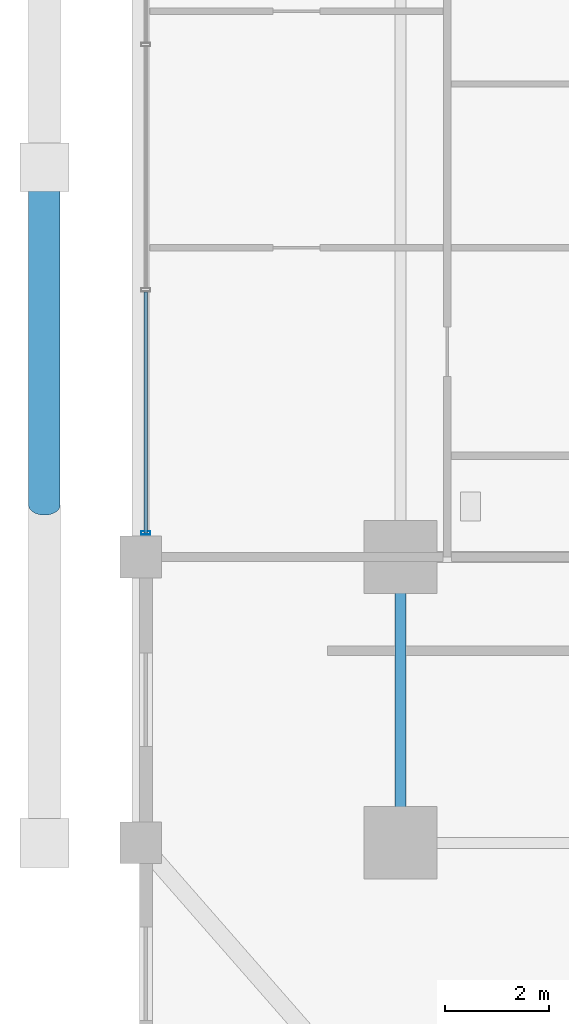
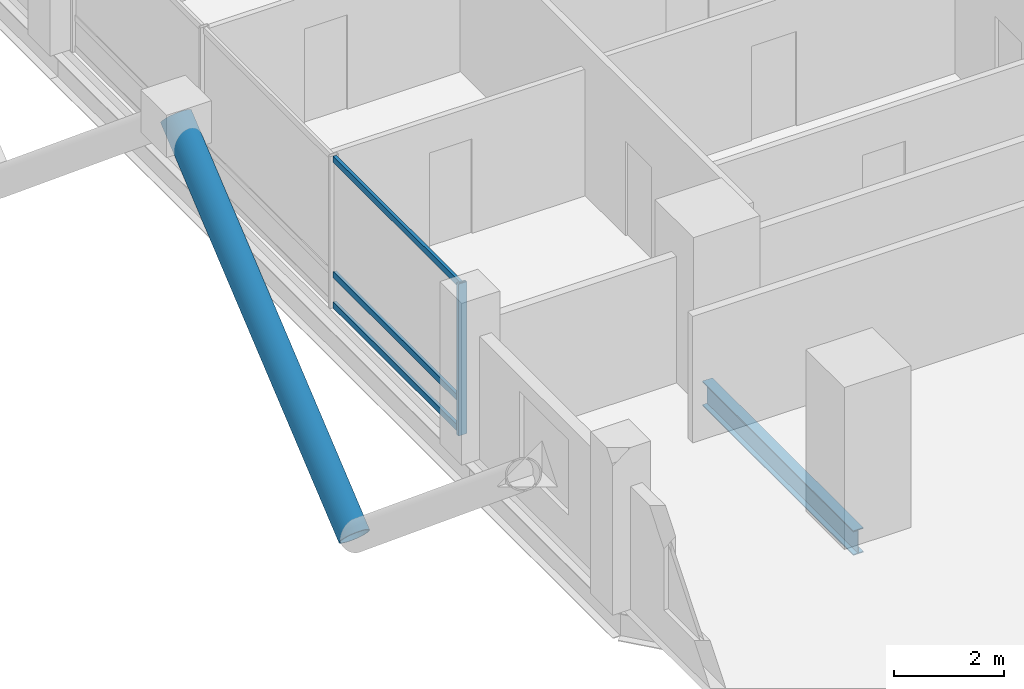
# One storey, part 4 of 23: 5 members, 1 beam, 1 element without a shape of its own.
"""IFC4 building model written with IfcOpenShell, lengths in metres."""

import ifcopenshell
import ifcopenshell.guid

model = None  # the IFC model being written
_history = None  # IfcOwnerHistory: only IFC2X3 demands one
_inside = {}  # id of a spatial element -> (the spatial element, [elements in it])
_under = {}  # id of a project, library or spatial element -> (it, [spatial elements below it])
_declared = {}  # id of a project -> (the project, [libraries it declares])
_typed = {}  # id of a type object -> (the type object, [elements of that type])
_made_of = {}  # id of a material, layer set ... -> (it, [elements and type objects made of it])


def new_model(schema):
    """Start an empty IFC model of exactly this schema.

    Asked for "IFC4X3", IfcOpenShell would pick the latest addendum, in which some entities
    have other attributes; the version numbers below select the first issue.
    IFC2X3 requires an IfcOwnerHistory on every rooted entity: one is made here for all.
    """
    global model, _history
    if schema == "IFC4X3":
        model = ifcopenshell.file(schema_version=(4, 3, 0, 0))
    else:
        model = ifcopenshell.file(schema=schema)
    _inside.clear()
    _under.clear()
    _declared.clear()
    _typed.clear()
    _made_of.clear()
    _history = None
    if model.schema == "IFC2X3":
        org = make("IfcOrganization", Name="unknown")
        user = make(
            "IfcPersonAndOrganization",
            ThePerson=make("IfcPerson", FamilyName="unknown"),
            TheOrganization=org,
        )
        app = make(
            "IfcApplication",
            ApplicationDeveloper=org,
            Version="unknown",
            ApplicationFullName="unknown",
            ApplicationIdentifier="unknown",
        )
        _history = make(
            "IfcOwnerHistory",
            OwningUser=user,
            OwningApplication=app,
            ChangeAction="ADDED",
            CreationDate=0,
        )
    return model


def make(cls, **values):
    """One entity of the class cls with the attributes given. An attribute that is None is left unset."""
    return model.create_entity(
        cls, **{name: value for name, value in values.items() if value is not None}
    )


def rooted(cls, **values):
    """An entity with a GlobalId (a new one), such as an element, a storey or a relation."""
    return make(cls, GlobalId=ifcopenshell.guid.new(), OwnerHistory=_history, **values)


def si_unit(unit_type, name, prefix=None):
    """IfcSIUnit, for example si_unit("LENGTHUNIT", "METRE", prefix="MILLI")."""
    return make("IfcSIUnit", UnitType=unit_type, Prefix=prefix, Name=name)


def assignment(units):
    """IfcUnitAssignment: the units of a project."""
    return None if units is None else make("IfcUnitAssignment", Units=units)


def point(xyz):
    """IfcCartesianPoint."""
    return None if xyz is None else make("IfcCartesianPoint", Coordinates=xyz)


def direction(xyz):
    """IfcDirection."""
    return None if xyz is None else make("IfcDirection", DirectionRatios=xyz)


def frame(location, z_axis=None, x_axis=None):
    """IfcAxis2Placement3D, a coordinate frame: its origin and axes. An axis left out is left unset."""
    return make(
        "IfcAxis2Placement3D",
        Location=point(location),
        Axis=direction(z_axis),
        RefDirection=direction(x_axis),
    )


def frame_2d(location, x_axis=None):
    """IfcAxis2Placement2D, a coordinate frame in the plane: its origin and x axis."""
    return make(
        "IfcAxis2Placement2D", Location=point(location), RefDirection=direction(x_axis)
    )


def origin():
    """The frame at (0, 0, 0) with its axes left unset."""
    return frame((0.0, 0.0, 0.0))


def origin_2d():
    """The frame at (0, 0) in the plane with its x axis left unset."""
    return frame_2d((0.0, 0.0))


def place(relative_to, where):
    """IfcLocalPlacement: puts the frame where relative to a parent placement (None: the world)."""
    return make(
        "IfcLocalPlacement", PlacementRelTo=relative_to, RelativePlacement=where
    )


def context(
    kind, dimensions, precision=None, world=None, true_north=None, identifier=None
):
    """IfcGeometricRepresentationContext, for example the 3D "Model" context."""
    return make(
        "IfcGeometricRepresentationContext",
        ContextIdentifier=identifier,
        ContextType=kind,
        CoordinateSpaceDimension=dimensions,
        Precision=precision,
        WorldCoordinateSystem=world,
        TrueNorth=true_north,
    )


def subcontext(parent, identifier, kind, view, scale=None):
    """IfcGeometricRepresentationSubContext, for example "Body" below "Model"."""
    return make(
        "IfcGeometricRepresentationSubContext",
        ContextIdentifier=identifier,
        ContextType=kind,
        ParentContext=parent,
        TargetScale=scale,
        TargetView=view,
    )


def project(units=None, contexts=None):
    """IfcProject with its units and contexts."""
    return rooted(
        "IfcProject",
        Name="project",
        RepresentationContexts=contexts,
        UnitsInContext=assignment(units),
    )


def spatial(cls, under=None, at=None, **own):
    """A site, building, storey or space (cls), placed at a placement, below another one or the project."""
    s = rooted(cls, ObjectPlacement=at, **own)
    if under is not None:
        _under.setdefault(under.id(), (under, []))[1].append(s)
    return s


def profile(cls, at=None, kind="AREA", **sizes):
    """A parametric profile (cls). Its sizes go by their IFC names, for example OverallWidth=200.0."""
    return make(cls, ProfileType=kind, Position=at, **sizes)


def hollow_rectangle(**sizes):
    """IfcRectangleHollowProfileDef."""
    return profile("IfcRectangleHollowProfileDef", **sizes)


def hollow_circle(**sizes):
    """IfcCircleHollowProfileDef."""
    return profile("IfcCircleHollowProfileDef", **sizes)


def i_section(**sizes):
    """IfcIShapeProfileDef."""
    return profile("IfcIShapeProfileDef", **sizes)


def extrude(swept, where, along, depth):
    """IfcExtrudedAreaSolid: the profile swept, set in the frame where, extruded along a direction by depth."""
    return make(
        "IfcExtrudedAreaSolid",
        SweptArea=swept,
        Position=where,
        ExtrudedDirection=direction(along),
        Depth=depth,
    )


def shape(context_of_items, identifier, shape_type, items):
    """IfcShapeRepresentation: the items that make up one representation, for example the "Body"."""
    return make(
        "IfcShapeRepresentation",
        ContextOfItems=context_of_items,
        RepresentationIdentifier=identifier,
        RepresentationType=shape_type,
        Items=items,
    )


def material(Name=None, Category=None):
    """IfcMaterial."""
    return make("IfcMaterial", Name=Name, Category=Category)


def layer(
    of_material, thickness, ventilated=None, Name=None, Category=None, Priority=None
):
    """IfcMaterialLayer: one layer of a wall or slab, of a material (None: an air gap)."""
    return make(
        "IfcMaterialLayer",
        Material=of_material,
        LayerThickness=thickness,
        IsVentilated=ventilated,
        Name=Name,
        Category=Category,
        Priority=Priority,
    )


def layer_set(layers, Name=None):
    """IfcMaterialLayerSet."""
    return make("IfcMaterialLayerSet", MaterialLayers=layers, LayerSetName=Name)


def material_profile(
    of_material, cross_section, Name=None, Category=None, Priority=None
):
    """IfcMaterialProfile: a cross section and its material."""
    return make(
        "IfcMaterialProfile",
        Name=Name,
        Material=of_material,
        Profile=cross_section,
        Priority=Priority,
        Category=Category,
    )


def profile_set(profiles, Name=None, composite=None):
    """IfcMaterialProfileSet."""
    return make(
        "IfcMaterialProfileSet",
        Name=Name,
        MaterialProfiles=profiles,
        CompositeProfile=composite,
    )


def made_of(thing, what):
    """Note that an element or type object is made of a material, layer set ...; save() writes the relation."""
    if what is not None:
        _made_of.setdefault(what.id(), (what, []))[1].append(thing)
    return thing


def type_object(cls, material=None, **own):
    """A type object (cls), such as IfcWallType, which elements share."""
    return made_of(rooted(cls, **own), material)


def element(
    cls,
    number,
    at=None,
    inside=None,
    cuts=None,
    type_object=None,
    material=None,
    context=None,
    identifier="Body",
    shape_type=None,
    held_by="IfcProductDefinitionShape",
    body=None,
    shapes=None,
    **own,
):
    """One element of the class cls, such as IfcWall. Its Tag is "e" and its number.

    at: its placement. inside: the storey or other place that contains it. cuts: it is an
    opening in that element (IfcRelVoidsElement). A single representation is given by context,
    identifier, shape_type and body (its items); several are given by shapes. held_by: the class
    of the entity that holds the representations. save() writes the other relations.
    """
    e = rooted(cls, Tag="e%d" % number, ObjectPlacement=at, **own)
    if body is not None:
        shapes = [shape(context, identifier, shape_type, body)]
    if shapes is not None:
        e.Representation = make(held_by, Representations=shapes)
    if inside is not None:
        _inside.setdefault(inside.id(), (inside, []))[1].append(e)
    if cuts is not None:
        rooted(
            "IfcRelVoidsElement", RelatingBuildingElement=cuts, RelatedOpeningElement=e
        )
    if type_object is not None:
        _typed.setdefault(type_object.id(), (type_object, []))[1].append(e)
    return made_of(e, material)


def aggregate(whole, parts):
    """IfcRelAggregates: a whole, such as a stair, and the parts it consists of."""
    return rooted("IfcRelAggregates", RelatingObject=whole, RelatedObjects=parts)


def save(model, path):
    """Write the relations noted so far, then the file.

    IfcRelAggregates (storeys below a building ...), IfcRelContainedInSpatialStructure (elements
    in a storey), IfcRelDefinesByType, IfcRelAssociatesMaterial and IfcRelDeclares: one each for
    every whole, place, type object, material and project.
    """
    for whole, parts in _under.values():
        aggregate(whole, parts)
    for where, things in _inside.values():
        rooted(
            "IfcRelContainedInSpatialStructure",
            RelatedElements=things,
            RelatingStructure=where,
        )
    for kind, things in _typed.values():
        rooted("IfcRelDefinesByType", RelatedObjects=things, RelatingType=kind)
    for what, things in _made_of.values():
        rooted("IfcRelAssociatesMaterial", RelatedObjects=things, RelatingMaterial=what)
    for by, libraries in _declared.values():
        rooted("IfcRelDeclares", RelatingContext=by, RelatedDefinitions=libraries)
    model.write(path)


model = new_model("IFC4")

# Units and contexts
model_context = context("Model", 3, precision=1e-05, world=origin(), true_north=direction((0.0, 1.0)))
body_context = subcontext(model_context, "Body", "Model", "MODEL_VIEW")
ifc_project = project(units=[si_unit("LENGTHUNIT", "METRE"), si_unit("AREAUNIT", "SQUARE_METRE"), si_unit("VOLUMEUNIT", "CUBIC_METRE"), si_unit("PLANEANGLEUNIT", "RADIAN"), si_unit("MASSUNIT", "GRAM", prefix="KILO")], contexts=[model_context])

# Site, building, storey
site_placement = place(None, origin())
site = spatial("IfcSite", under=ifc_project, at=site_placement, CompositionType="ELEMENT")
building_placement = place(site_placement, origin())
building = spatial("IfcBuilding", under=site, at=building_placement, Name="Barlavira Tower and Art Museum", CompositionType="ELEMENT")
storey_placement = place(building_placement, frame((0.0, 0.0, 57.60009765625)))
storey = spatial("IfcBuildingStorey", under=building, at=storey_placement, Name="L13", CompositionType="ELEMENT", Elevation=57.60009765625)

# Curtain wall, members
ifc_material_1 = material(Name="Low-iron coastal laminated glass", Category="glass")
ifc_layer = layer(ifc_material_1, 0.179931640625, Name="Low-iron coastal laminated glass")
ifc_layer_set = layer_set([ifc_layer], Name="Low-iron coastal laminated glass")
curtain_wall_type = type_object("IfcCurtainWallType", Name="Pale-Metal Unitised Curtain Wall Zone 1", PredefinedType="NOTDEFINED", material=ifc_layer_set)
curtain_wall_placement = place(storey_placement, origin())
curtain_wall = element("IfcCurtainWall", 1, at=curtain_wall_placement, inside=storey, type_object=curtain_wall_type, Name="L13 Curtain Wall CW1-L13-W-B3", PredefinedType="NOTDEFINED")
ifc_material_2 = material(Name="Pale anodised aluminium", Category="aluminium")
ifc_material_profile_1 = material_profile(ifc_material_2, hollow_rectangle(XDim=0.06494140625, YDim=0.179931640625, WallThickness=0.00390625, at=origin_2d()), Name="ALU-MULL 65x180x4")
ifc_profile_set_1 = profile_set([ifc_material_profile_1], Name="Pale anodised aluminium")
member_type_1 = type_object("IfcMemberType", Name="Curtain Wall Pale-Metal Mullion 65x180", PredefinedType="MULLION", material=ifc_profile_set_1)
member_1_placement = place(storey_placement, frame((-21.89990234375, -7.034912109375, 0.0), z_axis=(0.0, 0.0, 1.0), x_axis=(0.0, -1.0, 0.0)))
member_1 = element("IfcMember", 2, at=member_1_placement, type_object=member_type_1, Name="CW1-L13-W-B3 Mullion 3", PredefinedType="MULLION", context=body_context, shape_type="SweptSolid", body=[
    extrude(hollow_rectangle(XDim=0.06494140625, YDim=0.179931640625, WallThickness=0.00390625, at=origin_2d()), origin(), (0.0, 0.0, 1.0), 3.3798828125),
])
ifc_material_profile_2 = material_profile(ifc_material_2, hollow_rectangle(XDim=0.06494140625, YDim=0.139892578125, WallThickness=0.00390625, at=origin_2d()), Name="ALU-TRAN 65x140x4")
ifc_profile_set_2 = profile_set([ifc_material_profile_2], Name="Pale anodised aluminium")
member_type_2 = type_object("IfcMemberType", Name="Curtain Wall Pale-Metal Transom 65x140", PredefinedType="USERDEFINED", material=ifc_profile_set_2)
member_2_placement = place(storey_placement, frame((-21.89990234375, -2.405029296875, 0.06982421875), z_axis=(0.0, -1.0, 0.0), x_axis=(1.0, 0.0, 0.0)))
member_2 = element("IfcMember", 3, at=member_2_placement, type_object=member_type_2, Name="CW1-L13-W-B3 Transom 2.1", ObjectType="TRANSOM", PredefinedType="USERDEFINED", context=body_context, shape_type="SweptSolid", body=[
    extrude(hollow_rectangle(XDim=0.06494140625, YDim=0.139892578125, WallThickness=0.00390625, at=origin_2d()), origin(), (0.0, 0.0, 1.0), 4.6298828125),
])
member_3_placement = place(storey_placement, frame((-21.89990234375, -2.405029296875, 0.743896484375), z_axis=(0.0, -1.0, 0.0), x_axis=(1.0, 0.0, 0.0)))
member_3 = element("IfcMember", 4, at=member_3_placement, type_object=member_type_2, Name="CW1-L13-W-B3 Transom 2.2", ObjectType="TRANSOM", PredefinedType="USERDEFINED", context=body_context, shape_type="SweptSolid", body=[
    extrude(hollow_rectangle(XDim=0.06494140625, YDim=0.139892578125, WallThickness=0.00390625, at=origin_2d()), origin(), (0.0, 0.0, 1.0), 4.6298828125),
])
member_4_placement = place(storey_placement, frame((-21.89990234375, -2.405029296875, 3.309814453125), z_axis=(0.0, -1.0, 0.0), x_axis=(1.0, 0.0, 0.0)))
member_4 = element("IfcMember", 5, at=member_4_placement, type_object=member_type_2, Name="CW1-L13-W-B3 Transom 2.3", ObjectType="TRANSOM", PredefinedType="USERDEFINED", context=body_context, shape_type="SweptSolid", body=[
    extrude(hollow_rectangle(XDim=0.06494140625, YDim=0.139892578125, WallThickness=0.00390625, at=origin_2d()), origin(), (0.0, 0.0, 1.0), 4.6298828125),
])
aggregate(curtain_wall, [member_1, member_2, member_3, member_4])

# Member
ifc_material_3 = material(Name="Steel S355", Category="steel")
ifc_material_profile_3 = material_profile(ifc_material_3, hollow_circle(Radius=0.304931640625, WallThickness=0.028076171875, at=origin_2d()), Name="CHS 610.0x28.0")
ifc_profile_set_3 = profile_set([ifc_material_profile_3], Name="Steel S355")
member_type_3 = type_object("IfcMemberType", Name="Pale-Metal Exoskeleton Diagrid Tube CHS 610x28 Steel S355", PredefinedType="BRACE", material=ifc_profile_set_3)
member_5_placement = place(storey_placement, frame((-23.85009765625, -6.5, -1.920166015625), z_axis=(0.0, 0.76918185268, 0.639029950399), x_axis=(-1.0, 0.0, 0.0)))
element("IfcMember", 6, at=member_5_placement, inside=storey, type_object=member_type_3, Name="L13 Exoskeleton Diagrid Tube W", PredefinedType="BRACE", context=body_context, shape_type="SweptSolid", body=[
    extrude(hollow_circle(Radius=0.304931640625, WallThickness=0.028076171875, at=origin_2d()), origin(), (0.0, 0.0, 1.0), 8.450439453125),
])

# Beam
ifc_material_profile_4 = material_profile(ifc_material_3, i_section(OverallWidth=0.214111328125, OverallDepth=0.549072265625, WebThickness=0.0146484375, FlangeThickness=0.023681640625, at=origin_2d()), Name="W530x138.0")
ifc_profile_set_4 = profile_set([ifc_material_profile_4], Name="Steel S355")
beam_type = type_object("IfcBeamType", Name="Zone 1 Primary Floor Girder W530x138 Steel S355", PredefinedType="BEAM", material=ifc_profile_set_4)
beam_placement = place(storey_placement, frame((-17.0, -13.0, -0.49462890625), z_axis=(0.0, 1.0, 0.0), x_axis=(-1.0, 0.0, 0.0)))
element("IfcBeam", 7, at=beam_placement, inside=storey, type_object=beam_type, Name="L13 Girder M-W1", PredefinedType="BEAM", context=body_context, shape_type="SweptSolid", body=[
    extrude(i_section(OverallWidth=0.214111328125, OverallDepth=0.549072265625, WebThickness=0.0146484375, FlangeThickness=0.023681640625, at=origin_2d()), origin(), (0.0, 0.0, 1.0), 5.5),
])

save(model, "model.ifc")
